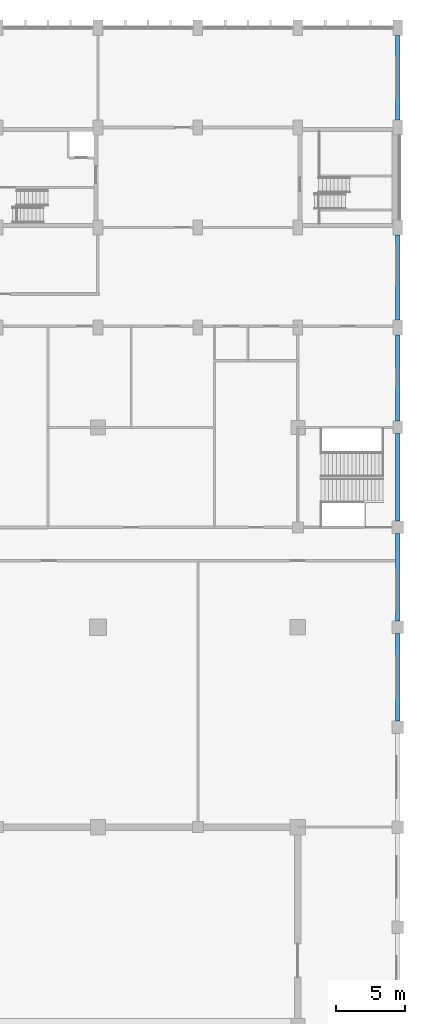
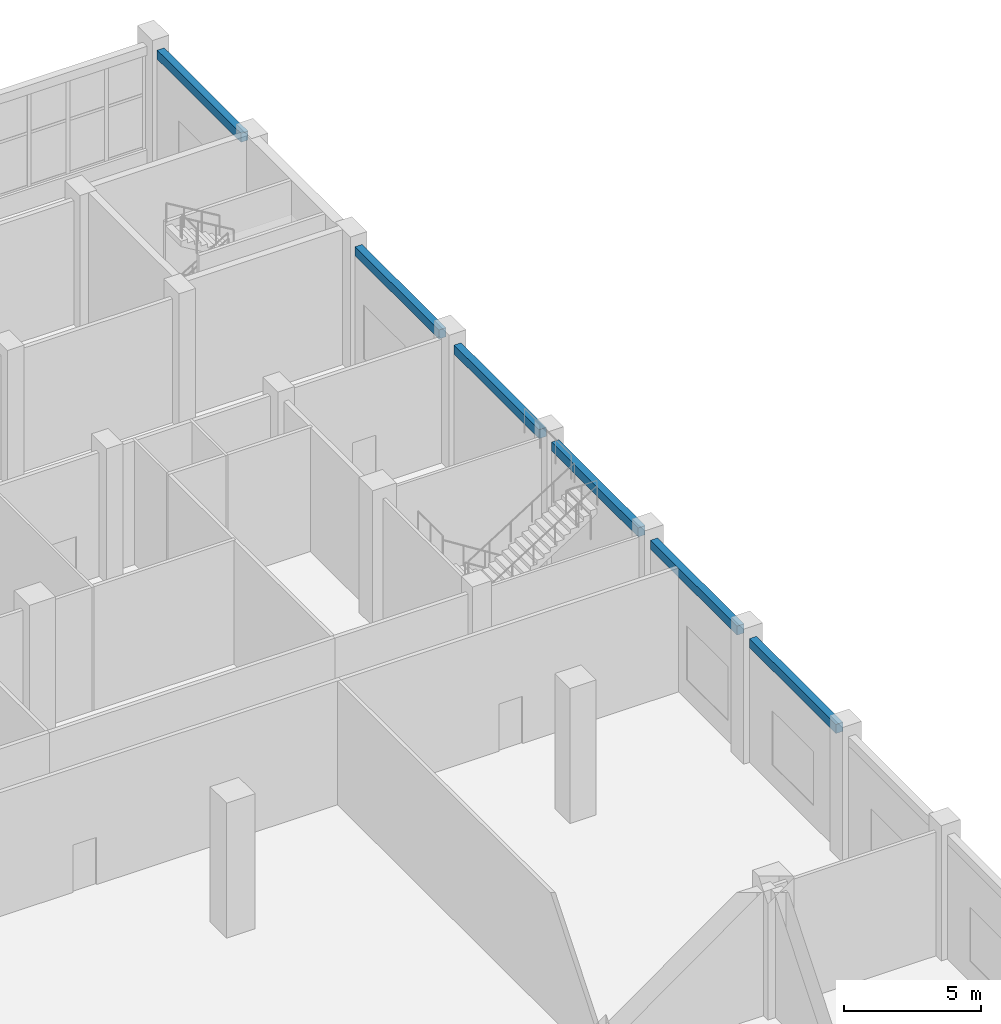
# One storey, part 17 of 44: 6 beams.
"""IFC4 building model written with IfcOpenShell, lengths in metres."""

import ifcopenshell
import ifcopenshell.guid

model = None  # the IFC model being written
_history = None  # IfcOwnerHistory: only IFC2X3 demands one
_inside = {}  # id of a spatial element -> (the spatial element, [elements in it])
_under = {}  # id of a project, library or spatial element -> (it, [spatial elements below it])
_declared = {}  # id of a project -> (the project, [libraries it declares])
_typed = {}  # id of a type object -> (the type object, [elements of that type])
_made_of = {}  # id of a material, layer set ... -> (it, [elements and type objects made of it])


def new_model(schema):
    """Start an empty IFC model of exactly this schema.

    Asked for "IFC4X3", IfcOpenShell would pick the latest addendum, in which some entities
    have other attributes; the version numbers below select the first issue.
    IFC2X3 requires an IfcOwnerHistory on every rooted entity: one is made here for all.
    """
    global model, _history
    if schema == "IFC4X3":
        model = ifcopenshell.file(schema_version=(4, 3, 0, 0))
    else:
        model = ifcopenshell.file(schema=schema)
    _inside.clear()
    _under.clear()
    _declared.clear()
    _typed.clear()
    _made_of.clear()
    _history = None
    if model.schema == "IFC2X3":
        org = make("IfcOrganization", Name="unknown")
        user = make(
            "IfcPersonAndOrganization",
            ThePerson=make("IfcPerson", FamilyName="unknown"),
            TheOrganization=org,
        )
        app = make(
            "IfcApplication",
            ApplicationDeveloper=org,
            Version="unknown",
            ApplicationFullName="unknown",
            ApplicationIdentifier="unknown",
        )
        _history = make(
            "IfcOwnerHistory",
            OwningUser=user,
            OwningApplication=app,
            ChangeAction="ADDED",
            CreationDate=0,
        )
    return model


def make(cls, **values):
    """One entity of the class cls with the attributes given. An attribute that is None is left unset."""
    return model.create_entity(
        cls, **{name: value for name, value in values.items() if value is not None}
    )


def rooted(cls, **values):
    """An entity with a GlobalId (a new one), such as an element, a storey or a relation."""
    return make(cls, GlobalId=ifcopenshell.guid.new(), OwnerHistory=_history, **values)


def si_unit(unit_type, name, prefix=None):
    """IfcSIUnit, for example si_unit("LENGTHUNIT", "METRE", prefix="MILLI")."""
    return make("IfcSIUnit", UnitType=unit_type, Prefix=prefix, Name=name)


def assignment(units):
    """IfcUnitAssignment: the units of a project."""
    return None if units is None else make("IfcUnitAssignment", Units=units)


def point(xyz):
    """IfcCartesianPoint."""
    return None if xyz is None else make("IfcCartesianPoint", Coordinates=xyz)


def direction(xyz):
    """IfcDirection."""
    return None if xyz is None else make("IfcDirection", DirectionRatios=xyz)


def frame(location, z_axis=None, x_axis=None):
    """IfcAxis2Placement3D, a coordinate frame: its origin and axes. An axis left out is left unset."""
    return make(
        "IfcAxis2Placement3D",
        Location=point(location),
        Axis=direction(z_axis),
        RefDirection=direction(x_axis),
    )


def frame_2d(location, x_axis=None):
    """IfcAxis2Placement2D, a coordinate frame in the plane: its origin and x axis."""
    return make(
        "IfcAxis2Placement2D", Location=point(location), RefDirection=direction(x_axis)
    )


def origin():
    """The frame at (0, 0, 0) with its axes left unset."""
    return frame((0.0, 0.0, 0.0))


def origin_2d():
    """The frame at (0, 0) in the plane with its x axis left unset."""
    return frame_2d((0.0, 0.0))


def place(relative_to, where):
    """IfcLocalPlacement: puts the frame where relative to a parent placement (None: the world)."""
    return make(
        "IfcLocalPlacement", PlacementRelTo=relative_to, RelativePlacement=where
    )


def context(
    kind, dimensions, precision=None, world=None, true_north=None, identifier=None
):
    """IfcGeometricRepresentationContext, for example the 3D "Model" context."""
    return make(
        "IfcGeometricRepresentationContext",
        ContextIdentifier=identifier,
        ContextType=kind,
        CoordinateSpaceDimension=dimensions,
        Precision=precision,
        WorldCoordinateSystem=world,
        TrueNorth=true_north,
    )


def subcontext(parent, identifier, kind, view, scale=None):
    """IfcGeometricRepresentationSubContext, for example "Body" below "Model"."""
    return make(
        "IfcGeometricRepresentationSubContext",
        ContextIdentifier=identifier,
        ContextType=kind,
        ParentContext=parent,
        TargetScale=scale,
        TargetView=view,
    )


def project(units=None, contexts=None):
    """IfcProject with its units and contexts."""
    return rooted(
        "IfcProject",
        Name="project",
        RepresentationContexts=contexts,
        UnitsInContext=assignment(units),
    )


def spatial(cls, under=None, at=None, **own):
    """A site, building, storey or space (cls), placed at a placement, below another one or the project."""
    s = rooted(cls, ObjectPlacement=at, **own)
    if under is not None:
        _under.setdefault(under.id(), (under, []))[1].append(s)
    return s


def profile(cls, at=None, kind="AREA", **sizes):
    """A parametric profile (cls). Its sizes go by their IFC names, for example OverallWidth=200.0."""
    return make(cls, ProfileType=kind, Position=at, **sizes)


def rectangle(**sizes):
    """IfcRectangleProfileDef."""
    return profile("IfcRectangleProfileDef", **sizes)


def extrude(swept, where, along, depth):
    """IfcExtrudedAreaSolid: the profile swept, set in the frame where, extruded along a direction by depth."""
    return make(
        "IfcExtrudedAreaSolid",
        SweptArea=swept,
        Position=where,
        ExtrudedDirection=direction(along),
        Depth=depth,
    )


def shape(context_of_items, identifier, shape_type, items):
    """IfcShapeRepresentation: the items that make up one representation, for example the "Body"."""
    return make(
        "IfcShapeRepresentation",
        ContextOfItems=context_of_items,
        RepresentationIdentifier=identifier,
        RepresentationType=shape_type,
        Items=items,
    )


def material(Name=None, Category=None):
    """IfcMaterial."""
    return make("IfcMaterial", Name=Name, Category=Category)


def material_profile(
    of_material, cross_section, Name=None, Category=None, Priority=None
):
    """IfcMaterialProfile: a cross section and its material."""
    return make(
        "IfcMaterialProfile",
        Name=Name,
        Material=of_material,
        Profile=cross_section,
        Priority=Priority,
        Category=Category,
    )


def profile_set(profiles, Name=None, composite=None):
    """IfcMaterialProfileSet."""
    return make(
        "IfcMaterialProfileSet",
        Name=Name,
        MaterialProfiles=profiles,
        CompositeProfile=composite,
    )


def made_of(thing, what):
    """Note that an element or type object is made of a material, layer set ...; save() writes the relation."""
    if what is not None:
        _made_of.setdefault(what.id(), (what, []))[1].append(thing)
    return thing


def type_object(cls, material=None, **own):
    """A type object (cls), such as IfcWallType, which elements share."""
    return made_of(rooted(cls, **own), material)


def element(
    cls,
    number,
    at=None,
    inside=None,
    cuts=None,
    type_object=None,
    material=None,
    context=None,
    identifier="Body",
    shape_type=None,
    held_by="IfcProductDefinitionShape",
    body=None,
    shapes=None,
    **own,
):
    """One element of the class cls, such as IfcWall. Its Tag is "e" and its number.

    at: its placement. inside: the storey or other place that contains it. cuts: it is an
    opening in that element (IfcRelVoidsElement). A single representation is given by context,
    identifier, shape_type and body (its items); several are given by shapes. held_by: the class
    of the entity that holds the representations. save() writes the other relations.
    """
    e = rooted(cls, Tag="e%d" % number, ObjectPlacement=at, **own)
    if body is not None:
        shapes = [shape(context, identifier, shape_type, body)]
    if shapes is not None:
        e.Representation = make(held_by, Representations=shapes)
    if inside is not None:
        _inside.setdefault(inside.id(), (inside, []))[1].append(e)
    if cuts is not None:
        rooted(
            "IfcRelVoidsElement", RelatingBuildingElement=cuts, RelatedOpeningElement=e
        )
    if type_object is not None:
        _typed.setdefault(type_object.id(), (type_object, []))[1].append(e)
    return made_of(e, material)


def aggregate(whole, parts):
    """IfcRelAggregates: a whole, such as a stair, and the parts it consists of."""
    return rooted("IfcRelAggregates", RelatingObject=whole, RelatedObjects=parts)


def save(model, path):
    """Write the relations noted so far, then the file.

    IfcRelAggregates (storeys below a building ...), IfcRelContainedInSpatialStructure (elements
    in a storey), IfcRelDefinesByType, IfcRelAssociatesMaterial and IfcRelDeclares: one each for
    every whole, place, type object, material and project.
    """
    for whole, parts in _under.values():
        aggregate(whole, parts)
    for where, things in _inside.values():
        rooted(
            "IfcRelContainedInSpatialStructure",
            RelatedElements=things,
            RelatingStructure=where,
        )
    for kind, things in _typed.values():
        rooted("IfcRelDefinesByType", RelatedObjects=things, RelatingType=kind)
    for what, things in _made_of.values():
        rooted("IfcRelAssociatesMaterial", RelatedObjects=things, RelatingMaterial=what)
    for by, libraries in _declared.values():
        rooted("IfcRelDeclares", RelatingContext=by, RelatedDefinitions=libraries)
    model.write(path)


model = new_model("IFC4")

# Units and contexts
model_context = context("Model", 3, precision=1e-05, world=origin(), true_north=direction((0.0, 1.0)))
body_context = subcontext(model_context, "Body", "Model", "MODEL_VIEW")
ifc_project = project(units=[si_unit("LENGTHUNIT", "METRE"), si_unit("AREAUNIT", "SQUARE_METRE"), si_unit("VOLUMEUNIT", "CUBIC_METRE"), si_unit("PLANEANGLEUNIT", "RADIAN"), si_unit("MASSUNIT", "GRAM", prefix="KILO")], contexts=[model_context])

# Site, building, storey
site_placement = place(None, origin())
site = spatial("IfcSite", under=ifc_project, at=site_placement, CompositionType="ELEMENT")
building_placement = place(site_placement, origin())
building = spatial("IfcBuilding", under=site, at=building_placement, Name="Vermilion Court Aquatics Centre", CompositionType="ELEMENT")
storey_placement = place(building_placement, frame((0.0, 0.0, 6.0)))
storey = spatial("IfcBuildingStorey", under=building, at=storey_placement, Name="L01", CompositionType="ELEMENT", Elevation=6.0)

# Beams
ifc_material = material(Name="Concrete 5000 psi", Category="concrete")
ifc_material_profile = material_profile(ifc_material, rectangle(XDim=0.300048828125, YDim=0.39990234375, at=origin_2d()), Name="RC 300x400")
ifc_profile_set = profile_set([ifc_material_profile], Name="Concrete 5000 psi")
beam_type = type_object("IfcBeamType", Name="Podium spandrel beam RC 300x400", PredefinedType="BEAM", material=ifc_profile_set)
for number, where, z_axis, x_axis, name in (
    (1, (194.39990234375, 65.25, 5.300048828125), (0.0, 1.0, 0.0), (-1.0, 0.0, 0.0), "Spandrel beam L01"),
    (2, (194.39990234375, 72.449951171875, 5.300048828125), (0.0, 1.0, 0.0), (-1.0, 0.0, 0.0), "Spandrel beam L01"),
    (3, (194.39990234375, 79.64990234375, 5.300048828125), (0.0, 1.0, 0.0), (-1.0, 0.0, 0.0), "Spandrel beam L01"),
):
    element("IfcBeam", number, at=place(storey_placement, frame(where, z_axis=z_axis, x_axis=x_axis)), inside=storey, type_object=beam_type, Name=name, PredefinedType="BEAM", context=body_context, shape_type="SweptSolid", body=[
        extrude(rectangle(XDim=0.300048828125, YDim=0.39990234375, at=origin_2d()), origin(), (0.0, 0.0, 1.0), 6.300048828125),
    ])
beam_1_placement = place(storey_placement, frame((194.39990234375, 86.85009765625, 5.300048828125), z_axis=(0.0, 1.0, 0.0), x_axis=(-1.0, 0.0, 0.0)))
element("IfcBeam", 4, at=beam_1_placement, inside=storey, type_object=beam_type, Name="Spandrel beam L01", PredefinedType="BEAM", context=body_context, shape_type="SweptSolid", body=[
    extrude(rectangle(XDim=0.300048828125, YDim=0.39990234375, at=origin_2d()), origin(), (0.0, 0.0, 1.0), 6.199951171875),
])
beam_2_placement = place(storey_placement, frame((194.39990234375, 94.14990234375, 5.300048828125), z_axis=(0.0, 1.0, 0.0), x_axis=(-1.0, 0.0, 0.0)))
element("IfcBeam", 5, at=beam_2_placement, inside=storey, type_object=beam_type, Name="Spandrel beam L01", PredefinedType="BEAM", context=body_context, shape_type="SweptSolid", body=[
    extrude(rectangle(XDim=0.300048828125, YDim=0.39990234375, at=origin_2d()), origin(), (0.0, 0.0, 1.0), 6.10009765625),
])
beam_3_placement = place(storey_placement, frame((194.39990234375, 108.550048828125, 5.300048828125), z_axis=(0.0, 1.0, 0.0), x_axis=(-1.0, 0.0, 0.0)))
element("IfcBeam", 6, at=beam_3_placement, inside=storey, type_object=beam_type, Name="Spandrel beam L01", PredefinedType="BEAM", context=body_context, shape_type="SweptSolid", body=[
    extrude(rectangle(XDim=0.300048828125, YDim=0.39990234375, at=origin_2d()), origin(), (0.0, 0.0, 1.0), 6.099853515625),
])

save(model, "model.ifc")
